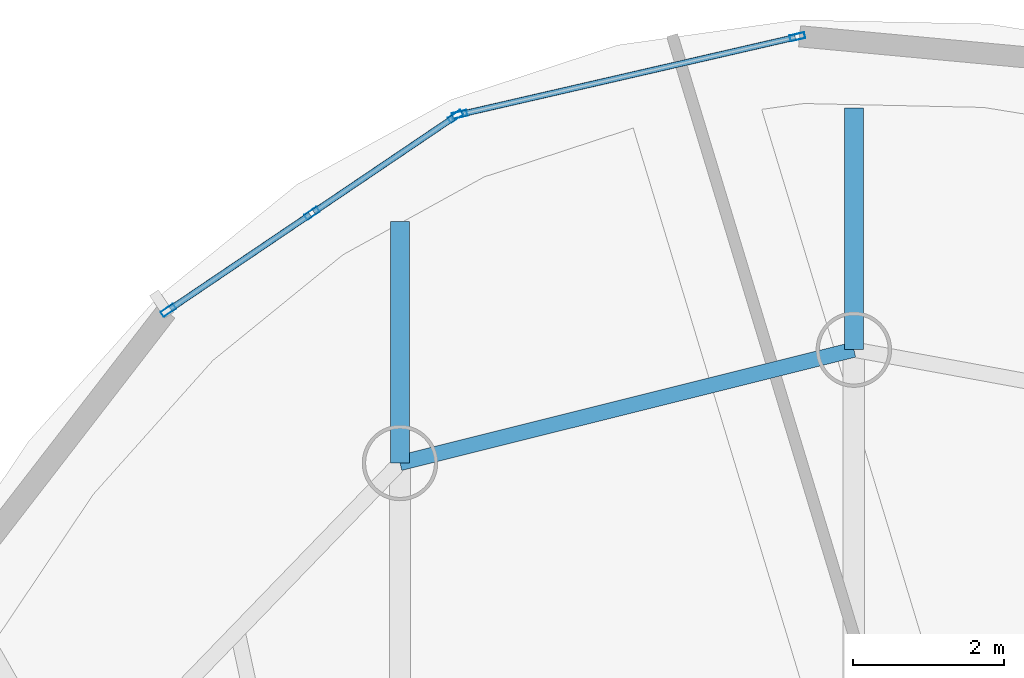
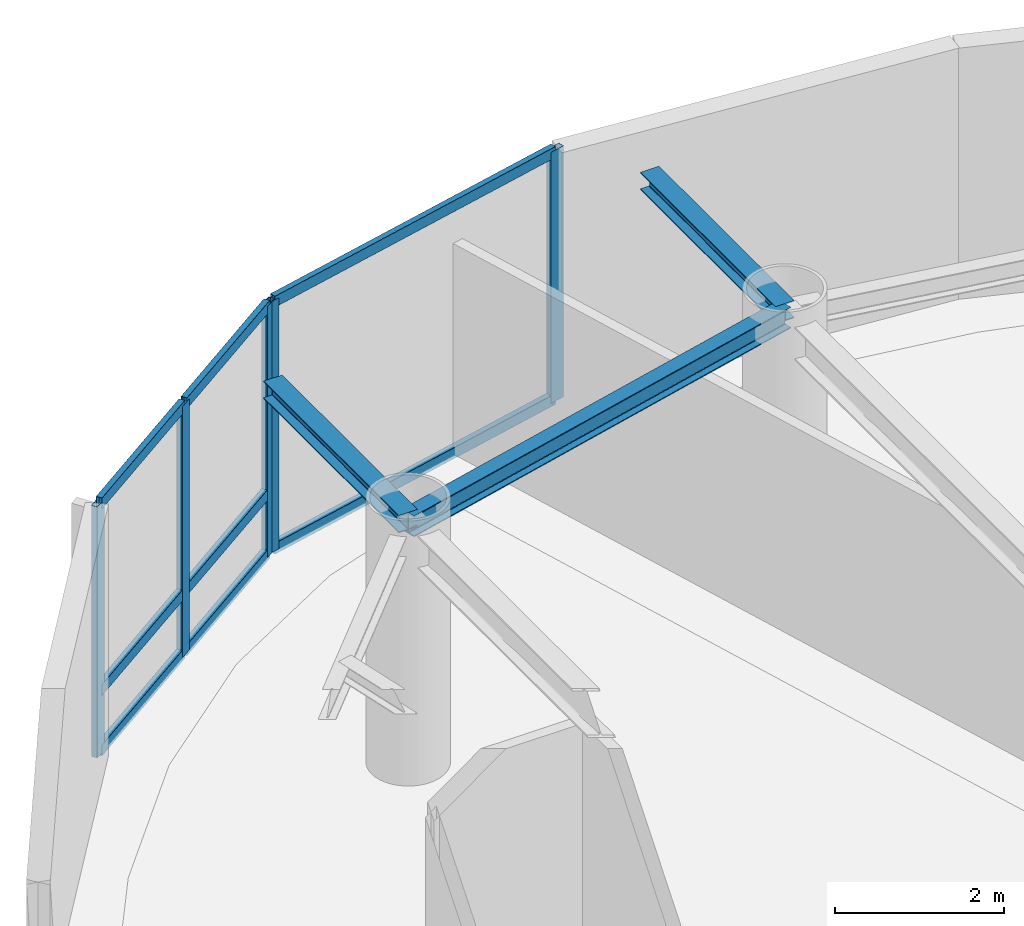
# One storey, part 11 of 19: 13 members, 3 beams, 2 elements without a shape of their own.
"""IFC4 building model written with IfcOpenShell, lengths in metres."""

from ifc_helpers import new_model, si_unit, direction, frame, origin, origin_2d, place, context, subcontext, project, spatial, hollow_rectangle, i_section, extrude, material, layer, layer_set, material_profile, profile_set, type_object, element, aggregate, save


model = new_model("IFC4")

# Units and contexts
model_context = context("Model", 3, precision=1e-05, world=origin(), true_north=direction((0.0, 1.0)))
body_context = subcontext(model_context, "Body", "Model", "MODEL_VIEW")
ifc_project = project(units=[si_unit("LENGTHUNIT", "METRE"), si_unit("AREAUNIT", "SQUARE_METRE"), si_unit("VOLUMEUNIT", "CUBIC_METRE"), si_unit("PLANEANGLEUNIT", "RADIAN"), si_unit("MASSUNIT", "GRAM", prefix="KILO")], contexts=[model_context])

# Site, building, storey
site_placement = place(None, origin())
site = spatial("IfcSite", under=ifc_project, at=site_placement, CompositionType="ELEMENT")
building_placement = place(site_placement, origin())
building = spatial("IfcBuilding", under=site, at=building_placement, Name="Bramvorn Convention Spire", CompositionType="ELEMENT")
storey_placement = place(building_placement, frame((0.0, 0.0, 299.800048828125)))
storey = spatial("IfcBuildingStorey", under=building, at=storey_placement, Name="L76", CompositionType="ELEMENT", Elevation=299.800048828125)

# Beams
ifc_material_1 = material(Name="Steel CSA G40.21 Grade 350 (350W)", Category="steel")
ifc_material_profile_1 = material_profile(ifc_material_1, i_section(OverallWidth=0.25390625, OverallDepth=0.2529296875, WebThickness=0.008544921875, FlangeThickness=0.01416015625, FilletRadius=0.011962890625, at=origin_2d()))
ifc_profile_set_1 = profile_set([ifc_material_profile_1], Name="Steel CSA G40.21 Grade 350 (350W) - W250X73")
beam_type_1 = type_object("IfcBeamType", Name="BM-W250X73", PredefinedType="BEAM", material=ifc_profile_set_1)
beam_1_placement = place(storey_placement, frame((32.8115234375, 46.90087890625, 3.49853515625), z_axis=(0.0, 1.0, 0.0), x_axis=(-1.0, 0.0, 0.0)))
element("IfcBeam", 1, at=beam_1_placement, inside=storey, type_object=beam_type_1, Name="L76 slab-edge cantilever tip beam MC08", PredefinedType="BEAM", context=body_context, shape_type="SweptSolid", body=[
    extrude(i_section(OverallWidth=0.25390625, OverallDepth=0.2529296875, WebThickness=0.008544921875, FlangeThickness=0.01416015625, FilletRadius=0.011962890625, at=origin_2d()), origin(), (0.0, 0.0, 1.0), 3.199951171875),
])
beam_2_placement = place(storey_placement, frame((26.800048828125, 45.39892578125, 3.49853515625), z_axis=(0.0, 1.0, 0.0), x_axis=(-1.0, 0.0, 0.0)))
element("IfcBeam", 2, at=beam_2_placement, inside=storey, type_object=beam_type_1, Name="L76 slab-edge cantilever tip beam MC09", PredefinedType="BEAM", context=body_context, shape_type="SweptSolid", body=[
    extrude(i_section(OverallWidth=0.25390625, OverallDepth=0.2529296875, WebThickness=0.008544921875, FlangeThickness=0.01416015625, FilletRadius=0.011962890625, at=origin_2d()), origin(), (0.0, 0.0, 1.0), 3.2001953125),
])
ifc_material_profile_2 = material_profile(ifc_material_1, i_section(OverallWidth=0.202880859375, OverallDepth=0.302978515625, WebThickness=0.007568359375, FlangeThickness=0.01318359375, FilletRadius=0.013916015625, at=origin_2d()))
ifc_profile_set_2 = profile_set([ifc_material_profile_2], Name="Steel CSA G40.21 Grade 350 (350W) - W310X60")
beam_type_2 = type_object("IfcBeamType", Name="BM-W310X60", PredefinedType="JOIST", material=ifc_profile_set_2)
beam_3_placement = place(storey_placement, frame((32.8115234375, 46.90087890625, 3.473388671875), z_axis=(-0.970177255997, -0.24239655927, 0.0), x_axis=(0.24239655927, -0.970177255997, 0.0)))
element("IfcBeam", 3, at=beam_3_placement, inside=storey, type_object=beam_type_2, Name="L76 mega-column ring beam 08", PredefinedType="JOIST", context=body_context, shape_type="SweptSolid", body=[
    extrude(i_section(OverallWidth=0.202880859375, OverallDepth=0.302978515625, WebThickness=0.007568359375, FlangeThickness=0.01318359375, FilletRadius=0.013916015625, at=origin_2d()), origin(), (0.0, 0.0, 1.0), 6.1962890625),
])

# Curtain wall, members
ifc_material_2 = material(Name="Anodised Bronze Unitised Curtain Wall", Category="aluminium")
ifc_layer = layer(ifc_material_2, 0.179931640625)
ifc_layer_set = layer_set([ifc_layer], Name="Anodised Bronze Unitised Curtain Wall - CW-OFF-FRIT")
curtain_wall_type = type_object("IfcCurtainWallType", Name="CW-OFF-FRIT", PredefinedType="USERDEFINED", material=ifc_layer_set)
curtain_wall_1_placement = place(storey_placement, origin())
curtain_wall_1 = element("IfcCurtainWall", 4, at=curtain_wall_1_placement, inside=storey, type_object=curtain_wall_type, Name="L76 fritted glass curtain wall 12", ObjectType="UNITISED CURTAIN WALL", PredefinedType="USERDEFINED")
ifc_material_3 = material(Name="Anodised Bronze Aluminium 6063-T6", Category="aluminium")
ifc_material_profile_3 = material_profile(ifc_material_3, hollow_rectangle(XDim=0.080078125, YDim=0.199951171875, WallThickness=0.00390625, InnerFilletRadius=0.0009765625, OuterFilletRadius=0.00390625, at=origin_2d()))
ifc_profile_set_3 = profile_set([ifc_material_profile_3], Name="Anodised Bronze Aluminium 6063-T6 - CWM80X200")
member_type_1 = type_object("IfcMemberType", Name="CW-MUL-180", PredefinedType="MULLION", material=ifc_profile_set_3)
member_1_placement = place(storey_placement, frame((27.58984375, 50.015380859375, 0.0), z_axis=(0.0, 0.0, 1.0), x_axis=(-0.224182614302, 0.974547154039, 0.0)))
member_1 = element("IfcMember", 5, at=member_1_placement, type_object=member_type_1, Name="CW3 mullion 1", PredefinedType="MULLION", context=body_context, shape_type="SweptSolid", body=[
    extrude(hollow_rectangle(XDim=0.080078125, YDim=0.199951171875, WallThickness=0.00390625, InnerFilletRadius=0.0009765625, OuterFilletRadius=0.00390625, at=origin_2d()), origin(), (0.0, 0.0, 1.0), 3.625),
])
member_2_placement = place(storey_placement, frame((32.063720703125, 51.04443359375, 0.0), z_axis=(0.0, 0.0, 1.0), x_axis=(-0.224182614302, 0.974547154039, 0.0)))
member_2 = element("IfcMember", 6, at=member_2_placement, type_object=member_type_1, Name="CW3 mullion 2", PredefinedType="MULLION", context=body_context, shape_type="SweptSolid", body=[
    extrude(hollow_rectangle(XDim=0.080078125, YDim=0.199951171875, WallThickness=0.00390625, InnerFilletRadius=0.0009765625, OuterFilletRadius=0.00390625, at=origin_2d()), origin(), (0.0, 0.0, 1.0), 3.625),
])

curtain_wall_2_placement = place(storey_placement, origin())
curtain_wall_2 = element("IfcCurtainWall", 7, at=curtain_wall_2_placement, inside=storey, type_object=curtain_wall_type, Name="L76 fritted glass curtain wall 13", ObjectType="UNITISED CURTAIN WALL", PredefinedType="USERDEFINED")
member_3_placement = place(storey_placement, frame((23.732177734375, 47.421875, 0.0), z_axis=(0.0, 0.0, 1.0), x_axis=(-0.559850229239, 0.828593821375, 0.0)))
member_3 = element("IfcMember", 8, at=member_3_placement, type_object=member_type_1, Name="CW3 mullion 1", PredefinedType="MULLION", context=body_context, shape_type="SweptSolid", body=[
    extrude(hollow_rectangle(XDim=0.080078125, YDim=0.199951171875, WallThickness=0.00390625, InnerFilletRadius=0.0009765625, OuterFilletRadius=0.00390625, at=origin_2d()), origin(), (0.0, 0.0, 1.0), 3.625),
])
member_4_placement = place(storey_placement, frame((25.634033203125, 48.706787109375, 0.0), z_axis=(0.0, 0.0, 1.0), x_axis=(-0.559850229239, 0.828593821375, 0.0)))
member_4 = element("IfcMember", 9, at=member_4_placement, type_object=member_type_1, Name="CW3 mullion 2", PredefinedType="MULLION", context=body_context, shape_type="SweptSolid", body=[
    extrude(hollow_rectangle(XDim=0.080078125, YDim=0.199951171875, WallThickness=0.00390625, InnerFilletRadius=0.0009765625, OuterFilletRadius=0.00390625, at=origin_2d()), origin(), (0.0, 0.0, 1.0), 3.625),
])
member_5_placement = place(storey_placement, frame((27.535888671875, 49.99169921875, 0.0), z_axis=(0.0, 0.0, 1.0), x_axis=(-0.559850229239, 0.828593821375, 0.0)))
member_5 = element("IfcMember", 10, at=member_5_placement, type_object=member_type_1, Name="CW3 mullion 3", PredefinedType="MULLION", context=body_context, shape_type="SweptSolid", body=[
    extrude(hollow_rectangle(XDim=0.080078125, YDim=0.199951171875, WallThickness=0.00390625, InnerFilletRadius=0.0009765625, OuterFilletRadius=0.00390625, at=origin_2d()), origin(), (0.0, 0.0, 1.0), 3.625),
])

# Member
ifc_material_profile_4 = material_profile(ifc_material_3, hollow_rectangle(XDim=0.080078125, YDim=0.159912109375, WallThickness=0.00390625, InnerFilletRadius=0.0009765625, OuterFilletRadius=0.00390625, at=origin_2d()))
ifc_profile_set_4 = profile_set([ifc_material_profile_4], Name="Anodised Bronze Aluminium 6063-T6 - CWT80X160")
member_type_2 = type_object("IfcMemberType", Name="CW-TRN-150", PredefinedType="USERDEFINED", material=ifc_profile_set_4)
member_6_placement = place(storey_placement, frame((27.619140625, 50.02197265625, 0.030029296875), z_axis=(0.974538115538, 0.22422190206, 0.0), x_axis=(-0.22422190206, 0.974538115538, 0.0)))
member_6 = element("IfcMember", 11, at=member_6_placement, type_object=member_type_2, Name="CW3 transom 1.1", ObjectType="TRANSOM", PredefinedType="USERDEFINED", context=body_context, shape_type="SweptSolid", body=[
    extrude(hollow_rectangle(XDim=0.080078125, YDim=0.159912109375, WallThickness=0.00390625, InnerFilletRadius=0.0009765625, OuterFilletRadius=0.00390625, at=origin_2d()), origin(), (0.0, 0.0, 1.0), 4.53076171875),
])

member_7_placement = place(storey_placement, frame((27.619140625, 50.02197265625, 3.594970703125), z_axis=(0.974538115538, 0.22422190206, 0.0), x_axis=(-0.22422190206, 0.974538115538, 0.0)))
member_7 = element("IfcMember", 12, at=member_7_placement, type_object=member_type_2, Name="CW3 transom 1.2", ObjectType="TRANSOM", PredefinedType="USERDEFINED", context=body_context, shape_type="SweptSolid", body=[
    extrude(hollow_rectangle(XDim=0.080078125, YDim=0.159912109375, WallThickness=0.00390625, InnerFilletRadius=0.0009765625, OuterFilletRadius=0.00390625, at=origin_2d()), origin(), (0.0, 0.0, 1.0), 4.53076171875),
])

aggregate(curtain_wall_1, [member_1, member_2, member_6, member_7])

member_8_placement = place(storey_placement, frame((23.757080078125, 47.4384765625, 0.030029296875), z_axis=(0.82857253545, 0.559881731706, 0.0), x_axis=(-0.559881731706, 0.82857253545, 0.0)))
member_8 = element("IfcMember", 13, at=member_8_placement, type_object=member_type_2, Name="CW3 transom 1.1", ObjectType="TRANSOM", PredefinedType="USERDEFINED", context=body_context, shape_type="SweptSolid", body=[
    extrude(hollow_rectangle(XDim=0.080078125, YDim=0.159912109375, WallThickness=0.00390625, InnerFilletRadius=0.0009765625, OuterFilletRadius=0.00390625, at=origin_2d()), origin(), (0.0, 0.0, 1.0), 2.2353515625),
])

member_9_placement = place(storey_placement, frame((23.757080078125, 47.4384765625, 0.89990234375), z_axis=(0.82857253545, 0.559881731706, 0.0), x_axis=(-0.559881731706, 0.82857253545, 0.0)))
member_9 = element("IfcMember", 14, at=member_9_placement, type_object=member_type_2, Name="CW3 transom 1.2", ObjectType="TRANSOM", PredefinedType="USERDEFINED", context=body_context, shape_type="SweptSolid", body=[
    extrude(hollow_rectangle(XDim=0.080078125, YDim=0.159912109375, WallThickness=0.00390625, InnerFilletRadius=0.0009765625, OuterFilletRadius=0.00390625, at=origin_2d()), origin(), (0.0, 0.0, 1.0), 2.2353515625),
])

member_10_placement = place(storey_placement, frame((23.757080078125, 47.4384765625, 3.594970703125), z_axis=(0.82857253545, 0.559881731706, 0.0), x_axis=(-0.559881731706, 0.82857253545, 0.0)))
member_10 = element("IfcMember", 15, at=member_10_placement, type_object=member_type_2, Name="CW3 transom 1.3", ObjectType="TRANSOM", PredefinedType="USERDEFINED", context=body_context, shape_type="SweptSolid", body=[
    extrude(hollow_rectangle(XDim=0.080078125, YDim=0.159912109375, WallThickness=0.00390625, InnerFilletRadius=0.0009765625, OuterFilletRadius=0.00390625, at=origin_2d()), origin(), (0.0, 0.0, 1.0), 2.2353515625),
])

member_11_placement = place(storey_placement, frame((25.658935546875, 48.7236328125, 0.030029296875), z_axis=(0.82857253545, 0.559881731706, 0.0), x_axis=(-0.559881731706, 0.82857253545, 0.0)))
member_11 = element("IfcMember", 16, at=member_11_placement, type_object=member_type_2, Name="CW3 transom 2.1", ObjectType="TRANSOM", PredefinedType="USERDEFINED", context=body_context, shape_type="SweptSolid", body=[
    extrude(hollow_rectangle(XDim=0.080078125, YDim=0.159912109375, WallThickness=0.00390625, InnerFilletRadius=0.0009765625, OuterFilletRadius=0.00390625, at=origin_2d()), origin(), (0.0, 0.0, 1.0), 2.2353515625),
])

member_12_placement = place(storey_placement, frame((25.658935546875, 48.7236328125, 0.89990234375), z_axis=(0.82857253545, 0.559881731706, 0.0), x_axis=(-0.559881731706, 0.82857253545, 0.0)))
member_12 = element("IfcMember", 17, at=member_12_placement, type_object=member_type_2, Name="CW3 transom 2.2", ObjectType="TRANSOM", PredefinedType="USERDEFINED", context=body_context, shape_type="SweptSolid", body=[
    extrude(hollow_rectangle(XDim=0.080078125, YDim=0.159912109375, WallThickness=0.00390625, InnerFilletRadius=0.0009765625, OuterFilletRadius=0.00390625, at=origin_2d()), origin(), (0.0, 0.0, 1.0), 2.2353515625),
])

member_13_placement = place(storey_placement, frame((25.658935546875, 48.7236328125, 3.594970703125), z_axis=(0.82857253545, 0.559881731706, 0.0), x_axis=(-0.559881731706, 0.82857253545, 0.0)))
member_13 = element("IfcMember", 18, at=member_13_placement, type_object=member_type_2, Name="CW3 transom 2.3", ObjectType="TRANSOM", PredefinedType="USERDEFINED", context=body_context, shape_type="SweptSolid", body=[
    extrude(hollow_rectangle(XDim=0.080078125, YDim=0.159912109375, WallThickness=0.00390625, InnerFilletRadius=0.0009765625, OuterFilletRadius=0.00390625, at=origin_2d()), origin(), (0.0, 0.0, 1.0), 2.2353515625),
])

aggregate(curtain_wall_2, [member_3, member_4, member_5, member_8, member_9, member_10, member_11, member_12, member_13])

save(model, "model.ifc")
